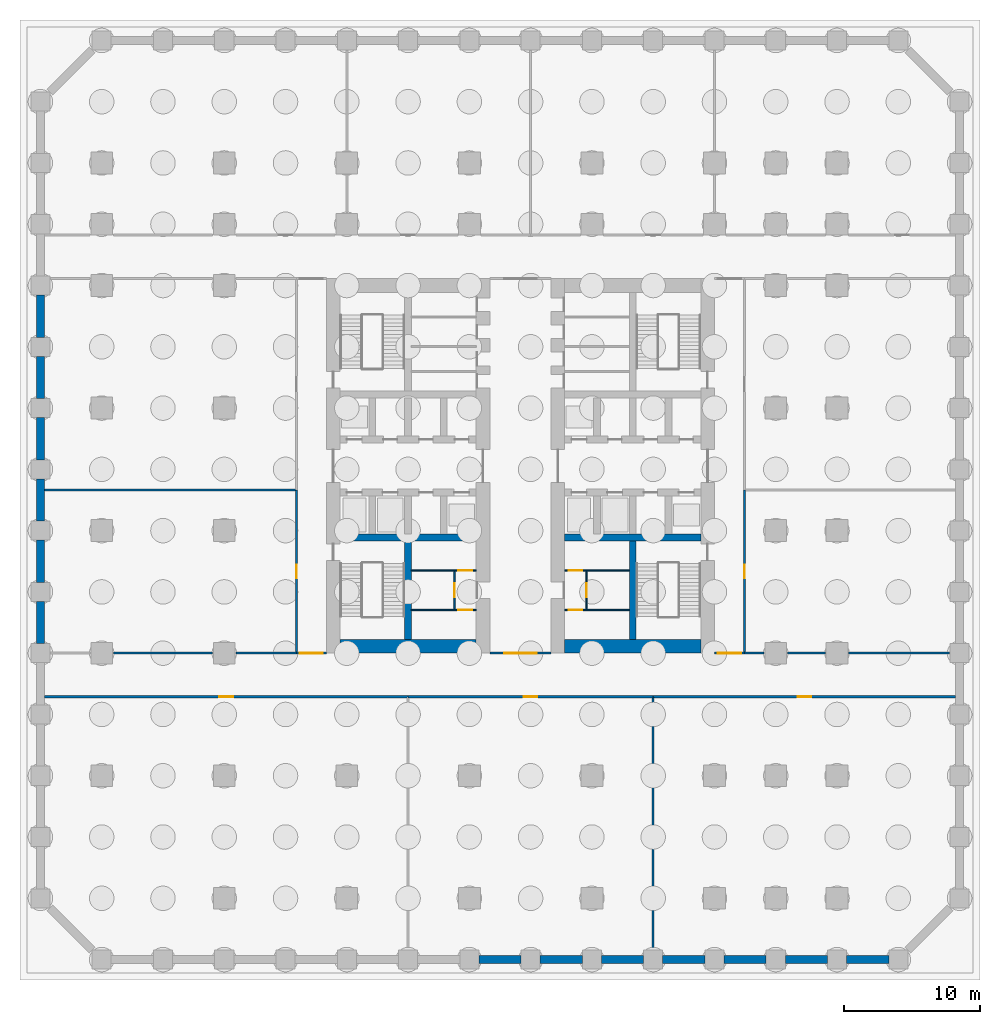
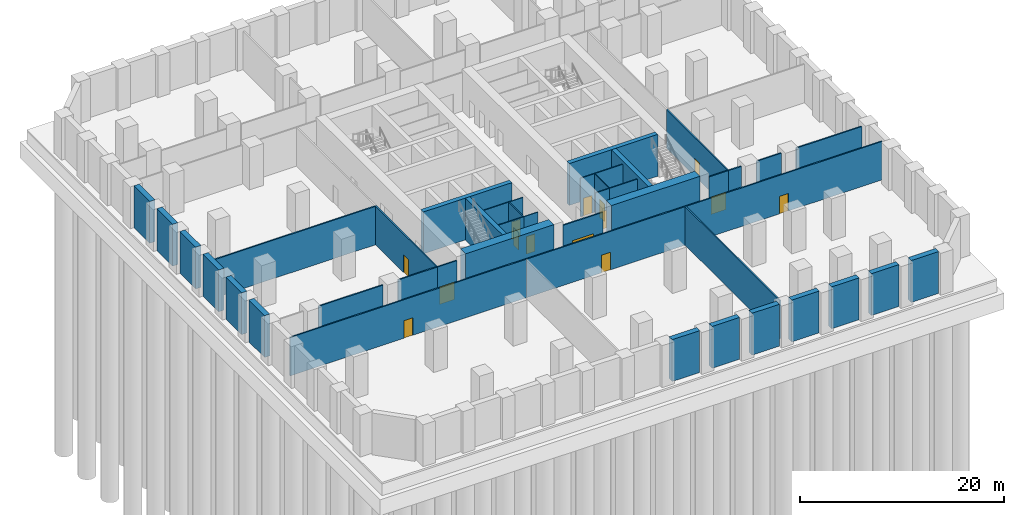
# One storey, part 3 of 9: 44 walls, 14 doors, 14 openings.
"""IFC4 building model written with IfcOpenShell, lengths in metres."""

import ifcopenshell
import ifcopenshell.guid

model = None  # the IFC model being written
_history = None  # IfcOwnerHistory: only IFC2X3 demands one
_inside = {}  # id of a spatial element -> (the spatial element, [elements in it])
_under = {}  # id of a project, library or spatial element -> (it, [spatial elements below it])
_declared = {}  # id of a project -> (the project, [libraries it declares])
_typed = {}  # id of a type object -> (the type object, [elements of that type])
_made_of = {}  # id of a material, layer set ... -> (it, [elements and type objects made of it])


def new_model(schema):
    """Start an empty IFC model of exactly this schema.

    Asked for "IFC4X3", IfcOpenShell would pick the latest addendum, in which some entities
    have other attributes; the version numbers below select the first issue.
    IFC2X3 requires an IfcOwnerHistory on every rooted entity: one is made here for all.
    """
    global model, _history
    if schema == "IFC4X3":
        model = ifcopenshell.file(schema_version=(4, 3, 0, 0))
    else:
        model = ifcopenshell.file(schema=schema)
    _inside.clear()
    _under.clear()
    _declared.clear()
    _typed.clear()
    _made_of.clear()
    _history = None
    if model.schema == "IFC2X3":
        org = make("IfcOrganization", Name="unknown")
        user = make(
            "IfcPersonAndOrganization",
            ThePerson=make("IfcPerson", FamilyName="unknown"),
            TheOrganization=org,
        )
        app = make(
            "IfcApplication",
            ApplicationDeveloper=org,
            Version="unknown",
            ApplicationFullName="unknown",
            ApplicationIdentifier="unknown",
        )
        _history = make(
            "IfcOwnerHistory",
            OwningUser=user,
            OwningApplication=app,
            ChangeAction="ADDED",
            CreationDate=0,
        )
    return model


def make(cls, **values):
    """One entity of the class cls with the attributes given. An attribute that is None is left unset."""
    return model.create_entity(
        cls, **{name: value for name, value in values.items() if value is not None}
    )


def rooted(cls, **values):
    """An entity with a GlobalId (a new one), such as an element, a storey or a relation."""
    return make(cls, GlobalId=ifcopenshell.guid.new(), OwnerHistory=_history, **values)


def si_unit(unit_type, name, prefix=None):
    """IfcSIUnit, for example si_unit("LENGTHUNIT", "METRE", prefix="MILLI")."""
    return make("IfcSIUnit", UnitType=unit_type, Prefix=prefix, Name=name)


def assignment(units):
    """IfcUnitAssignment: the units of a project."""
    return None if units is None else make("IfcUnitAssignment", Units=units)


def point(xyz):
    """IfcCartesianPoint."""
    return None if xyz is None else make("IfcCartesianPoint", Coordinates=xyz)


def direction(xyz):
    """IfcDirection."""
    return None if xyz is None else make("IfcDirection", DirectionRatios=xyz)


def frame(location, z_axis=None, x_axis=None):
    """IfcAxis2Placement3D, a coordinate frame: its origin and axes. An axis left out is left unset."""
    return make(
        "IfcAxis2Placement3D",
        Location=point(location),
        Axis=direction(z_axis),
        RefDirection=direction(x_axis),
    )


def frame_2d(location, x_axis=None):
    """IfcAxis2Placement2D, a coordinate frame in the plane: its origin and x axis."""
    return make(
        "IfcAxis2Placement2D", Location=point(location), RefDirection=direction(x_axis)
    )


def origin():
    """The frame at (0, 0, 0) with its axes left unset."""
    return frame((0.0, 0.0, 0.0))


def place(relative_to, where):
    """IfcLocalPlacement: puts the frame where relative to a parent placement (None: the world)."""
    return make(
        "IfcLocalPlacement", PlacementRelTo=relative_to, RelativePlacement=where
    )


def context(
    kind, dimensions, precision=None, world=None, true_north=None, identifier=None
):
    """IfcGeometricRepresentationContext, for example the 3D "Model" context."""
    return make(
        "IfcGeometricRepresentationContext",
        ContextIdentifier=identifier,
        ContextType=kind,
        CoordinateSpaceDimension=dimensions,
        Precision=precision,
        WorldCoordinateSystem=world,
        TrueNorth=true_north,
    )


def subcontext(parent, identifier, kind, view, scale=None):
    """IfcGeometricRepresentationSubContext, for example "Body" below "Model"."""
    return make(
        "IfcGeometricRepresentationSubContext",
        ContextIdentifier=identifier,
        ContextType=kind,
        ParentContext=parent,
        TargetScale=scale,
        TargetView=view,
    )


def project(units=None, contexts=None):
    """IfcProject with its units and contexts."""
    return rooted(
        "IfcProject",
        Name="project",
        RepresentationContexts=contexts,
        UnitsInContext=assignment(units),
    )


def spatial(cls, under=None, at=None, **own):
    """A site, building, storey or space (cls), placed at a placement, below another one or the project."""
    s = rooted(cls, ObjectPlacement=at, **own)
    if under is not None:
        _under.setdefault(under.id(), (under, []))[1].append(s)
    return s


def profile(cls, at=None, kind="AREA", **sizes):
    """A parametric profile (cls). Its sizes go by their IFC names, for example OverallWidth=200.0."""
    return make(cls, ProfileType=kind, Position=at, **sizes)


def rectangle(**sizes):
    """IfcRectangleProfileDef."""
    return profile("IfcRectangleProfileDef", **sizes)


def extrude(swept, where, along, depth):
    """IfcExtrudedAreaSolid: the profile swept, set in the frame where, extruded along a direction by depth."""
    return make(
        "IfcExtrudedAreaSolid",
        SweptArea=swept,
        Position=where,
        ExtrudedDirection=direction(along),
        Depth=depth,
    )


def shape(context_of_items, identifier, shape_type, items):
    """IfcShapeRepresentation: the items that make up one representation, for example the "Body"."""
    return make(
        "IfcShapeRepresentation",
        ContextOfItems=context_of_items,
        RepresentationIdentifier=identifier,
        RepresentationType=shape_type,
        Items=items,
    )


def material(Name=None, Category=None):
    """IfcMaterial."""
    return make("IfcMaterial", Name=Name, Category=Category)


def layer(
    of_material, thickness, ventilated=None, Name=None, Category=None, Priority=None
):
    """IfcMaterialLayer: one layer of a wall or slab, of a material (None: an air gap)."""
    return make(
        "IfcMaterialLayer",
        Material=of_material,
        LayerThickness=thickness,
        IsVentilated=ventilated,
        Name=Name,
        Category=Category,
        Priority=Priority,
    )


def layer_set(layers, Name=None):
    """IfcMaterialLayerSet."""
    return make("IfcMaterialLayerSet", MaterialLayers=layers, LayerSetName=Name)


def made_of(thing, what):
    """Note that an element or type object is made of a material, layer set ...; save() writes the relation."""
    if what is not None:
        _made_of.setdefault(what.id(), (what, []))[1].append(thing)
    return thing


def type_object(cls, material=None, **own):
    """A type object (cls), such as IfcWallType, which elements share."""
    return made_of(rooted(cls, **own), material)


def element(
    cls,
    number,
    at=None,
    inside=None,
    cuts=None,
    type_object=None,
    material=None,
    context=None,
    identifier="Body",
    shape_type=None,
    held_by="IfcProductDefinitionShape",
    body=None,
    shapes=None,
    **own,
):
    """One element of the class cls, such as IfcWall. Its Tag is "e" and its number.

    at: its placement. inside: the storey or other place that contains it. cuts: it is an
    opening in that element (IfcRelVoidsElement). A single representation is given by context,
    identifier, shape_type and body (its items); several are given by shapes. held_by: the class
    of the entity that holds the representations. save() writes the other relations.
    """
    e = rooted(cls, Tag="e%d" % number, ObjectPlacement=at, **own)
    if body is not None:
        shapes = [shape(context, identifier, shape_type, body)]
    if shapes is not None:
        e.Representation = make(held_by, Representations=shapes)
    if inside is not None:
        _inside.setdefault(inside.id(), (inside, []))[1].append(e)
    if cuts is not None:
        rooted(
            "IfcRelVoidsElement", RelatingBuildingElement=cuts, RelatedOpeningElement=e
        )
    if type_object is not None:
        _typed.setdefault(type_object.id(), (type_object, []))[1].append(e)
    return made_of(e, material)


def fill(opening, filler):
    """IfcRelFillsElement: the door or window that sits in an opening."""
    return rooted(
        "IfcRelFillsElement",
        RelatingOpeningElement=opening,
        RelatedBuildingElement=filler,
    )


def aggregate(whole, parts):
    """IfcRelAggregates: a whole, such as a stair, and the parts it consists of."""
    return rooted("IfcRelAggregates", RelatingObject=whole, RelatedObjects=parts)


def save(model, path):
    """Write the relations noted so far, then the file.

    IfcRelAggregates (storeys below a building ...), IfcRelContainedInSpatialStructure (elements
    in a storey), IfcRelDefinesByType, IfcRelAssociatesMaterial and IfcRelDeclares: one each for
    every whole, place, type object, material and project.
    """
    for whole, parts in _under.values():
        aggregate(whole, parts)
    for where, things in _inside.values():
        rooted(
            "IfcRelContainedInSpatialStructure",
            RelatedElements=things,
            RelatingStructure=where,
        )
    for kind, things in _typed.values():
        rooted("IfcRelDefinesByType", RelatedObjects=things, RelatingType=kind)
    for what, things in _made_of.values():
        rooted("IfcRelAssociatesMaterial", RelatedObjects=things, RelatingMaterial=what)
    for by, libraries in _declared.values():
        rooted("IfcRelDeclares", RelatingContext=by, RelatedDefinitions=libraries)
    model.write(path)


model = new_model("IFC4")

# Units and contexts
model_context = context("Model", 3, precision=1e-05, world=origin(), true_north=direction((0.0, 1.0)))
body_context = subcontext(model_context, "Body", "Model", "MODEL_VIEW")
ifc_project = project(units=[si_unit("LENGTHUNIT", "METRE"), si_unit("AREAUNIT", "SQUARE_METRE"), si_unit("VOLUMEUNIT", "CUBIC_METRE"), si_unit("PLANEANGLEUNIT", "RADIAN"), si_unit("MASSUNIT", "GRAM", prefix="KILO")], contexts=[model_context])

# Site, building, storey
site_placement = place(None, origin())
site = spatial("IfcSite", under=ifc_project, at=site_placement, CompositionType="ELEMENT")
building_placement = place(site_placement, origin())
building = spatial("IfcBuilding", under=site, at=building_placement, Name="Corbel Stack Research Tower", CompositionType="ELEMENT")
storey_placement = place(building_placement, frame((0.0, 0.0, -10.0)))
storey = spatial("IfcBuildingStorey", under=building, at=storey_placement, Name="B2", CompositionType="ELEMENT", Elevation=-10.0)

# Walls
ifc_material_1 = material(Name="Concrete C45/55", Category="concrete")
ifc_layer_1 = layer(ifc_material_1, 0.60009765625)
ifc_layer_set_1 = layer_set([ifc_layer_1], Name="Concrete C45/55")
wall_type_1 = type_object("IfcWallType", Name="BW-600", PredefinedType="SOLIDWALL", material=ifc_layer_set_1)
for number, where, z_axis, x_axis, name in (
    (1, (0.699951171875, -31.5, 0.0), (0.0, 0.0, 1.0), (1.0, 0.0, 0.0), "Basement wall B2"),
    (2, (5.199951171875, -31.5, 0.0), (0.0, 0.0, 1.0), (1.0, 0.0, 0.0), "Basement wall B2"),
    (3, (9.699951171875, -31.5, 0.0), (0.0, 0.0, 1.0), (1.0, 0.0, 0.0), "Basement wall B2"),
    (4, (14.199951171875, -31.5, 0.0), (0.0, 0.0, 1.0), (1.0, 0.0, 0.0), "Basement wall B2"),
    (5, (18.699951171875, -31.5, 0.0), (0.0, 0.0, 1.0), (1.0, 0.0, 0.0), "Basement wall B2"),
    (6, (23.199951171875, -31.5, 0.0), (0.0, 0.0, 1.0), (1.0, 0.0, 0.0), "Basement wall B2"),
    (7, (27.699951171875, -31.5, 0.0), (0.0, 0.0, 1.0), (1.0, 0.0, 0.0), "Basement wall B2"),
    (8, (-31.5, 17.300048828125, 0.0), (0.0, 0.0, 1.0), (0.0, -1.0, 0.0), "Basement wall B2"),
    (9, (-31.5, 12.800048828125, 0.0), (0.0, 0.0, 1.0), (0.0, -1.0, 0.0), "Basement wall B2"),
    (10, (-31.5, 8.300048828125, 0.0), (0.0, 0.0, 1.0), (0.0, -1.0, 0.0), "Basement wall B2"),
    (11, (-31.5, 3.800048828125, 0.0), (0.0, 0.0, 1.0), (0.0, -1.0, 0.0), "Basement wall B2"),
    (12, (-31.5, -0.699951171875, 0.0), (0.0, 0.0, 1.0), (0.0, -1.0, 0.0), "Basement wall B2"),
    (13, (-31.5, -5.199951171875, 0.0), (0.0, 0.0, 1.0), (0.0, -1.0, 0.0), "Basement wall B2"),
):
    element("IfcWall", number, at=place(storey_placement, frame(where, z_axis=z_axis, x_axis=x_axis)), inside=storey, type_object=wall_type_1, Name=name, PredefinedType="SOLIDWALL", context=body_context, shape_type="SweptSolid", body=[
        extrude(rectangle(XDim=3.10009765625, YDim=0.60009765625, at=frame_2d((1.550048828125, 0.0))), origin(), (0.0, 0.0, 1.0), 5.0),
    ])

# Wall, opening, door
ifc_material_2 = material(Name="Concrete block", Category="concrete")
ifc_layer_2 = layer(ifc_material_2, 0.14990234375)
ifc_layer_set_2 = layer_set([ifc_layer_2], Name="Concrete block")
wall_type_2 = type_object("IfcWallType", Name="Base partition 150 B2", PredefinedType="PARTITIONING", material=ifc_layer_set_2)
wall_1_placement = place(storey_placement, frame((-12.699951171875, -9.0, 0.0), z_axis=(0.0, 0.0, 1.0), x_axis=(1.0, 0.0, 0.0)))
wall_1 = element("IfcWall", 14, at=wall_1_placement, inside=storey, type_object=wall_type_2, Name="Partition B2", PredefinedType="PARTITIONING", context=body_context, shape_type="SweptSolid", body=[
    extrude(rectangle(XDim=2.199951171875, YDim=0.14990234375, at=frame_2d((1.10009765625, 0.0))), origin(), (0.0, 0.0, 1.0), 4.60009765625),
])
opening_1_placement = place(wall_1_placement, frame((0.25, 0.0, 0.0)))
opening_1 = element("IfcOpeningElement", 15, at=opening_1_placement, cuts=wall_1, Name="Opening BD-B2-12", PredefinedType="OPENING", context=body_context, shape_type="SweptSolid", body=[
    extrude(rectangle(XDim=1.699951171875, YDim=2.10009765625, at=frame_2d((0.85009765625, 1.050048828125))), frame((0.0, 0.0849609375, 0.0), z_axis=(0.0, -1.0, 0.0), x_axis=(1.0, 0.0, 0.0)), (0.0, 0.0, 1.0), 0.169921875),
])
ifc_material_3 = material(Name="Painted steel fire door", Category="steel")
door_type_1 = type_object("IfcDoorType", Name="Lobby door pair 1700 x 2100 FD30S", OperationType="DOUBLE_DOOR_DOUBLE_SWING", PredefinedType="DOOR", material=ifc_material_3)
door_1_placement = place(opening_1_placement, origin())
door_1 = element("IfcDoor", 16, at=door_1_placement, inside=storey, type_object=door_type_1, Name="Stair vestibule west to Plant corridor south opening", OperationType="DOUBLE_DOOR_DOUBLE_SWING", OverallHeight=2.10009765625, OverallWidth=1.699951171875, PredefinedType="DOOR", context=body_context, shape_type="SweptSolid", body=[
    extrude(rectangle(XDim=1.699951171875, YDim=2.10009765625, at=frame_2d((0.85009765625, 1.050048828125))), frame((0.0, 0.02490234375, 0.0), z_axis=(0.0, -1.0, 0.0), x_axis=(1.0, 0.0, 0.0)), (0.0, 0.0, 1.0), 0.050048828125),
])
fill(opening_1, door_1)

wall_2_placement = place(storey_placement, frame((-12.699951171875, -9.0, 0.0), z_axis=(0.0, 0.0, 1.0), x_axis=(0.0, 1.0, 0.0)))
wall_2 = element("IfcWall", 17, at=wall_2_placement, inside=storey, type_object=wall_type_2, Name="Partition B2", PredefinedType="PARTITIONING", context=body_context, shape_type="SweptSolid", body=[
    extrude(rectangle(XDim=12.0, YDim=0.14990234375, at=frame_2d((6.0, 0.0))), origin(), (0.0, 0.0, 1.0), 4.60009765625),
])
opening_2_placement = place(wall_2_placement, frame((5.5, 0.0, 0.0)))
opening_2 = element("IfcOpeningElement", 18, at=opening_2_placement, cuts=wall_2, Name="Opening BD-B2-04", PredefinedType="OPENING", context=body_context, shape_type="SweptSolid", body=[
    extrude(rectangle(XDim=1.0, YDim=2.10009765625, at=frame_2d((0.5, 1.050048828125))), frame((0.0, 0.0849609375, 0.0), z_axis=(0.0, -1.0, 0.0), x_axis=(1.0, 0.0, 0.0)), (0.0, 0.0, 1.0), 0.169921875),
])
ifc_material_4 = material(Name="Painted steel door", Category="steel")
door_type_2 = type_object("IfcDoorType", Name="Service door 1000 x 2100 FD60 right hand", OperationType="SINGLE_SWING_RIGHT", PredefinedType="DOOR", material=ifc_material_4)
door_2_placement = place(opening_2_placement, origin())
door_2 = element("IfcDoor", 19, at=door_2_placement, inside=storey, type_object=door_type_2, Name="Workshop door", OperationType="SINGLE_SWING_RIGHT", OverallHeight=2.10009765625, OverallWidth=1.0, PredefinedType="DOOR", context=body_context, shape_type="SweptSolid", body=[
    extrude(rectangle(XDim=1.0, YDim=2.10009765625, at=frame_2d((0.5, 1.050048828125))), frame((0.0, 0.02490234375, 0.0), z_axis=(0.0, -1.0, 0.0), x_axis=(1.0, 0.0, 0.0)), (0.0, 0.0, 1.0), 0.050048828125),
])
fill(opening_2, door_2)

wall_3_placement = place(storey_placement, frame((18.0, -9.0, 0.0), z_axis=(0.0, 0.0, 1.0), x_axis=(1.0, 0.0, 0.0)))
wall_3 = element("IfcWall", 20, at=wall_3_placement, inside=storey, type_object=wall_type_2, Name="Partition B2", PredefinedType="PARTITIONING", context=body_context, shape_type="SweptSolid", body=[
    extrude(rectangle(XDim=2.199951171875, YDim=0.14990234375, at=frame_2d((1.10009765625, 0.0))), origin(), (0.0, 0.0, 1.0), 4.60009765625),
])
opening_3_placement = place(wall_3_placement, frame((0.25, 0.0, 0.0)))
opening_3 = element("IfcOpeningElement", 21, at=opening_3_placement, cuts=wall_3, Name="Opening BD-B2-14", PredefinedType="OPENING", context=body_context, shape_type="SweptSolid", body=[
    extrude(rectangle(XDim=1.699951171875, YDim=2.10009765625, at=frame_2d((0.85009765625, 1.050048828125))), frame((0.0, 0.0849609375, 0.0), z_axis=(0.0, -1.0, 0.0), x_axis=(1.0, 0.0, 0.0)), (0.0, 0.0, 1.0), 0.169921875),
])
door_3_placement = place(opening_3_placement, origin())
door_3 = element("IfcDoor", 22, at=door_3_placement, inside=storey, type_object=door_type_1, Name="Stair vestibule east to Plant corridor south opening", OperationType="DOUBLE_DOOR_DOUBLE_SWING", OverallHeight=2.10009765625, OverallWidth=1.699951171875, PredefinedType="DOOR", context=body_context, shape_type="SweptSolid", body=[
    extrude(rectangle(XDim=1.699951171875, YDim=2.10009765625, at=frame_2d((0.85009765625, 1.050048828125))), frame((0.0, 0.02490234375, 0.0), z_axis=(0.0, -1.0, 0.0), x_axis=(1.0, 0.0, 0.0)), (0.0, 0.0, 1.0), 0.050048828125),
])
fill(opening_3, door_3)

wall_4_placement = place(storey_placement, frame((20.199951171875, -9.0, 0.0), z_axis=(0.0, 0.0, 1.0), x_axis=(0.0, 1.0, 0.0)))
wall_4 = element("IfcWall", 23, at=wall_4_placement, inside=storey, type_object=wall_type_2, Name="Partition B2", PredefinedType="PARTITIONING", context=body_context, shape_type="SweptSolid", body=[
    extrude(rectangle(XDim=12.0, YDim=0.14990234375, at=frame_2d((6.0, 0.0))), origin(), (0.0, 0.0, 1.0), 4.60009765625),
])
opening_4_placement = place(wall_4_placement, frame((5.5, 0.0, 0.0)))
opening_4 = element("IfcOpeningElement", 24, at=opening_4_placement, cuts=wall_4, Name="Opening BD-B2-06", PredefinedType="OPENING", context=body_context, shape_type="SweptSolid", body=[
    extrude(rectangle(XDim=1.0, YDim=2.10009765625, at=frame_2d((0.5, 1.050048828125))), frame((0.0, 0.0849609375, 0.0), z_axis=(0.0, -1.0, 0.0), x_axis=(1.0, 0.0, 0.0)), (0.0, 0.0, 1.0), 0.169921875),
])
ifc_material_5 = material(Name="Painted steel door", Category="steel")
door_type_3 = type_object("IfcDoorType", Name="Riser door 1000 x 2100 FD60 right hand", OperationType="SINGLE_SWING_RIGHT", PredefinedType="DOOR", material=ifc_material_5)
door_4_placement = place(opening_4_placement, origin())
door_4 = element("IfcDoor", 25, at=door_4_placement, inside=storey, type_object=door_type_3, Name="Electrical switchgear room door", OperationType="SINGLE_SWING_RIGHT", OverallHeight=2.10009765625, OverallWidth=1.0, PredefinedType="DOOR", context=body_context, shape_type="SweptSolid", body=[
    extrude(rectangle(XDim=1.0, YDim=2.10009765625, at=frame_2d((0.5, 1.050048828125))), frame((0.0, 0.02490234375, 0.0), z_axis=(0.0, -1.0, 0.0), x_axis=(1.0, 0.0, 0.0)), (0.0, 0.0, 1.0), 0.050048828125),
])
fill(opening_4, door_4)

wall_5_placement = place(storey_placement, frame((1.5, -9.0, 0.0), z_axis=(0.0, 0.0, 1.0), x_axis=(1.0, 0.0, 0.0)))
wall_5 = element("IfcWall", 26, at=wall_5_placement, inside=storey, type_object=wall_type_2, Name="Partition B2", PredefinedType="PARTITIONING", context=body_context, shape_type="SweptSolid", body=[
    extrude(rectangle(XDim=4.5, YDim=0.14990234375, at=frame_2d((2.25, 0.0))), origin(), (0.0, 0.0, 1.0), 4.60009765625),
])
opening_5_placement = place(wall_5_placement, frame((1.050048828125, 0.0, 0.0)))
opening_5 = element("IfcOpeningElement", 27, at=opening_5_placement, cuts=wall_5, Name="Opening BD-B2-16", PredefinedType="OPENING", context=body_context, shape_type="SweptSolid", body=[
    extrude(rectangle(XDim=2.39990234375, YDim=2.39990234375, at=frame_2d((1.199951171875, 1.199951171875))), frame((0.0, 0.0849609375, 0.0), z_axis=(0.0, -1.0, 0.0), x_axis=(1.0, 0.0, 0.0)), (0.0, 0.0, 1.0), 0.169921875),
])
ifc_material_6 = material(Name="Painted steel fire door", Category="steel")
door_type_4 = type_object("IfcDoorType", Name="Lobby door pair 2400 x 2400 FD30S", OperationType="DOUBLE_DOOR_DOUBLE_SWING", PredefinedType="DOOR", material=ifc_material_6)
door_5_placement = place(opening_5_placement, origin())
door_5 = element("IfcDoor", 28, at=door_5_placement, inside=storey, type_object=door_type_4, Name="Central circulation to Plant corridor south opening", OperationType="DOUBLE_DOOR_DOUBLE_SWING", OverallHeight=2.39990234375, OverallWidth=2.39990234375, PredefinedType="DOOR", context=body_context, shape_type="SweptSolid", body=[
    extrude(rectangle(XDim=2.39990234375, YDim=2.39990234375, at=frame_2d((1.199951171875, 1.199951171875))), frame((0.0, 0.02490234375, 0.0), z_axis=(0.0, -1.0, 0.0), x_axis=(1.0, 0.0, 0.0)), (0.0, 0.0, 1.0), 0.050048828125),
])
fill(opening_5, door_5)

wall_6_placement = place(storey_placement, frame((-31.199951171875, -12.199951171875, 0.0), z_axis=(0.0, 0.0, 1.0), x_axis=(1.0, 0.0, 0.0)))
wall_6 = element("IfcWall", 29, at=wall_6_placement, inside=storey, type_object=wall_type_2, Name="Partition B2", PredefinedType="PARTITIONING", context=body_context, shape_type="SweptSolid", body=[
    extrude(rectangle(XDim=26.699951171875, YDim=0.14990234375, at=frame_2d((13.35009765625, 0.0))), origin(), (0.0, 0.0, 1.0), 4.60009765625),
])
opening_6_placement = place(wall_6_placement, frame((12.85009765625, 0.0, 0.0)))
opening_6 = element("IfcOpeningElement", 30, at=opening_6_placement, cuts=wall_6, Name="Opening BD-B2-01", PredefinedType="OPENING", context=body_context, shape_type="SweptSolid", body=[
    extrude(rectangle(XDim=1.0, YDim=2.10009765625, at=frame_2d((0.5, 1.050048828125))), frame((0.0, 0.0849609375, 0.0), z_axis=(0.0, -1.0, 0.0), x_axis=(1.0, 0.0, 0.0)), (0.0, 0.0, 1.0), 0.169921875),
])
ifc_material_7 = material(Name="Painted steel door", Category="steel")
door_type_5 = type_object("IfcDoorType", Name="Riser door 1000 x 2100 FD60 left hand", OperationType="SINGLE_SWING_LEFT", PredefinedType="DOOR", material=ifc_material_7)
door_6_placement = place(opening_6_placement, origin())
door_6 = element("IfcDoor", 31, at=door_6_placement, inside=storey, type_object=door_type_5, Name="Fire water tank and pump room door", OperationType="SINGLE_SWING_LEFT", OverallHeight=2.10009765625, OverallWidth=1.0, PredefinedType="DOOR", context=body_context, shape_type="SweptSolid", body=[
    extrude(rectangle(XDim=1.0, YDim=2.10009765625, at=frame_2d((0.5, 1.050048828125))), frame((0.0, 0.02490234375, 0.0), z_axis=(0.0, -1.0, 0.0), x_axis=(1.0, 0.0, 0.0)), (0.0, 0.0, 1.0), 0.050048828125),
])
fill(opening_6, door_6)

wall_7_placement = place(storey_placement, frame((-4.5, -12.199951171875, 0.0), z_axis=(0.0, 0.0, 1.0), x_axis=(1.0, 0.0, 0.0)))
wall_7 = element("IfcWall", 32, at=wall_7_placement, inside=storey, type_object=wall_type_2, Name="Partition B2", PredefinedType="PARTITIONING", context=body_context, shape_type="SweptSolid", body=[
    extrude(rectangle(XDim=18.0, YDim=0.14990234375, at=frame_2d((9.0, 0.0))), origin(), (0.0, 0.0, 1.0), 4.60009765625),
])
opening_7_placement = place(wall_7_placement, frame((8.5, 0.0, 0.0)))
opening_7 = element("IfcOpeningElement", 33, at=opening_7_placement, cuts=wall_7, Name="Opening BD-B2-02", PredefinedType="OPENING", context=body_context, shape_type="SweptSolid", body=[
    extrude(rectangle(XDim=1.0, YDim=2.10009765625, at=frame_2d((0.5, 1.050048828125))), frame((0.0, 0.0849609375, 0.0), z_axis=(0.0, -1.0, 0.0), x_axis=(1.0, 0.0, 0.0)), (0.0, 0.0, 1.0), 0.169921875),
])
door_7_placement = place(opening_7_placement, origin())
door_7 = element("IfcDoor", 34, at=door_7_placement, inside=storey, type_object=door_type_3, Name="Rainwater harvesting plant door", OperationType="SINGLE_SWING_RIGHT", OverallHeight=2.10009765625, OverallWidth=1.0, PredefinedType="DOOR", context=body_context, shape_type="SweptSolid", body=[
    extrude(rectangle(XDim=1.0, YDim=2.10009765625, at=frame_2d((0.5, 1.050048828125))), frame((0.0, 0.02490234375, 0.0), z_axis=(0.0, -1.0, 0.0), x_axis=(1.0, 0.0, 0.0)), (0.0, 0.0, 1.0), 0.050048828125),
])
fill(opening_7, door_7)

wall_8_placement = place(storey_placement, frame((13.5, -12.199951171875, 0.0), z_axis=(0.0, 0.0, 1.0), x_axis=(1.0, 0.0, 0.0)))
wall_8 = element("IfcWall", 35, at=wall_8_placement, inside=storey, type_object=wall_type_2, Name="Partition B2", PredefinedType="PARTITIONING", context=body_context, shape_type="SweptSolid", body=[
    extrude(rectangle(XDim=22.199951171875, YDim=0.14990234375, at=frame_2d((11.10009765625, 0.0))), origin(), (0.0, 0.0, 1.0), 4.60009765625),
])
opening_8_placement = place(wall_8_placement, frame((10.60009765625, 0.0, 0.0)))
opening_8 = element("IfcOpeningElement", 36, at=opening_8_placement, cuts=wall_8, Name="Opening BD-B2-03", PredefinedType="OPENING", context=body_context, shape_type="SweptSolid", body=[
    extrude(rectangle(XDim=1.0, YDim=2.10009765625, at=frame_2d((0.5, 1.050048828125))), frame((0.0, 0.0849609375, 0.0), z_axis=(0.0, -1.0, 0.0), x_axis=(1.0, 0.0, 0.0)), (0.0, 0.0, 1.0), 0.169921875),
])
door_8_placement = place(opening_8_placement, origin())
door_8 = element("IfcDoor", 37, at=door_8_placement, inside=storey, type_object=door_type_5, Name="Laboratory waste neutralisation plant door", OperationType="SINGLE_SWING_LEFT", OverallHeight=2.10009765625, OverallWidth=1.0, PredefinedType="DOOR", context=body_context, shape_type="SweptSolid", body=[
    extrude(rectangle(XDim=1.0, YDim=2.10009765625, at=frame_2d((0.5, 1.050048828125))), frame((0.0, 0.02490234375, 0.0), z_axis=(0.0, -1.0, 0.0), x_axis=(1.0, 0.0, 0.0)), (0.0, 0.0, 1.0), 0.050048828125),
])
fill(opening_8, door_8)

# Walls
wall_9_placement = place(storey_placement, frame((-17.14990234375, -9.0, 0.0), z_axis=(0.0, 0.0, 1.0), x_axis=(1.0, 0.0, 0.0)))
element("IfcWall", 38, at=wall_9_placement, inside=storey, type_object=wall_type_2, Name="Partition B2", PredefinedType="PARTITIONING", context=body_context, shape_type="SweptSolid", body=[
    extrude(rectangle(XDim=4.449951171875, YDim=0.14990234375, at=frame_2d((2.22509765625, 0.0))), origin(), (0.0, 0.0, 1.0), 4.60009765625),
])
wall_10_placement = place(storey_placement, frame((-26.14990234375, -9.0, 0.0), z_axis=(0.0, 0.0, 1.0), x_axis=(1.0, 0.0, 0.0)))
element("IfcWall", 39, at=wall_10_placement, inside=storey, type_object=wall_type_2, Name="Partition B2", PredefinedType="PARTITIONING", context=body_context, shape_type="SweptSolid", body=[
    extrude(rectangle(XDim=7.2998046875, YDim=0.14990234375, at=frame_2d((3.64990234375, 0.0))), origin(), (0.0, 0.0, 1.0), 4.60009765625),
])
wall_11_placement = place(storey_placement, frame((27.85009765625, -9.0, 0.0), z_axis=(0.0, 0.0, 1.0), x_axis=(1.0, 0.0, 0.0)))
element("IfcWall", 40, at=wall_11_placement, inside=storey, type_object=wall_type_2, Name="Partition B2", PredefinedType="PARTITIONING", context=body_context, shape_type="SweptSolid", body=[
    extrude(rectangle(XDim=7.39990234375, YDim=0.14990234375, at=frame_2d((3.699951171875, 0.0))), origin(), (0.0, 0.0, 1.0), 4.60009765625),
])
wall_12_placement = place(storey_placement, frame((23.35009765625, -9.0, 0.0), z_axis=(0.0, 0.0, 1.0), x_axis=(1.0, 0.0, 0.0)))
element("IfcWall", 41, at=wall_12_placement, inside=storey, type_object=wall_type_2, Name="Partition B2", PredefinedType="PARTITIONING", context=body_context, shape_type="SweptSolid", body=[
    extrude(rectangle(XDim=2.7998046875, YDim=0.14990234375, at=frame_2d((1.39990234375, 0.0))), origin(), (0.0, 0.0, 1.0), 4.60009765625),
])
wall_13_placement = place(storey_placement, frame((20.199951171875, -9.0, 0.0), z_axis=(0.0, 0.0, 1.0), x_axis=(1.0, 0.0, 0.0)))
element("IfcWall", 42, at=wall_13_placement, inside=storey, type_object=wall_type_2, Name="Partition B2", PredefinedType="PARTITIONING", context=body_context, shape_type="SweptSolid", body=[
    extrude(rectangle(XDim=1.449951171875, YDim=0.14990234375, at=frame_2d((0.72509765625, 0.0))), origin(), (0.0, 0.0, 1.0), 4.60009765625),
])
wall_14_placement = place(storey_placement, frame((13.5, -30.75, 0.0), z_axis=(0.0, 0.0, 1.0), x_axis=(0.0, 1.0, 0.0)))
element("IfcWall", 43, at=wall_14_placement, inside=storey, type_object=wall_type_2, Name="Partition B2", PredefinedType="PARTITIONING", context=body_context, shape_type="SweptSolid", body=[
    extrude(rectangle(XDim=18.550048828125, YDim=0.14990234375, at=frame_2d((9.27490234375, 0.0))), origin(), (0.0, 0.0, 1.0), 4.60009765625),
])
wall_15_placement = place(storey_placement, frame((-31.199951171875, 3.0, 0.0), z_axis=(0.0, 0.0, 1.0), x_axis=(1.0, 0.0, 0.0)))
element("IfcWall", 44, at=wall_15_placement, inside=storey, type_object=wall_type_2, Name="Partition B2", PredefinedType="PARTITIONING", context=body_context, shape_type="SweptSolid", body=[
    extrude(rectangle(XDim=18.5, YDim=0.14990234375, at=frame_2d((9.25, 0.0))), origin(), (0.0, 0.0, 1.0), 4.60009765625),
])
ifc_material_8 = material(Name="Concrete C70/85", Category="concrete")
ifc_layer_3 = layer(ifc_material_8, 1.0)
ifc_layer_set_3 = layer_set([ifc_layer_3], Name="Concrete C70/85")
wall_type_3 = type_object("IfcWallType", Name="CW-1000-70", PredefinedType="SHEAR", material=ifc_layer_set_3)
for number, where, z_axis, x_axis, name in (
    (45, (-9.5, -8.5, 0.0), (0.0, 0.0, 1.0), (1.0, 0.0, 0.0), "West core wall, south end B2"),
    (46, (7.0, -8.5, 0.0), (0.0, 0.0, 1.0), (1.0, 0.0, 0.0), "East core wall, south end B2"),
):
    element("IfcWall", number, at=place(storey_placement, frame(where, z_axis=z_axis, x_axis=x_axis)), inside=storey, type_object=wall_type_3, Name=name, PredefinedType="SHEAR", context=body_context, shape_type="SweptSolid", body=[
        extrude(rectangle(XDim=10.0, YDim=1.0, at=frame_2d((5.0, 0.0))), origin(), (0.0, 0.0, 1.0), 5.0),
    ])
ifc_material_9 = material(Name="Concrete C70/85", Category="concrete")
ifc_layer_4 = layer(ifc_material_9, 0.5)
ifc_layer_set_4 = layer_set([ifc_layer_4], Name="Concrete C70/85")
wall_type_4 = type_object("IfcWallType", Name="CW-500-70", PredefinedType="SHEAR", material=ifc_layer_set_4)
wall_16_placement = place(storey_placement, frame((-9.5, -0.5, 0.0), z_axis=(0.0, 0.0, 1.0), x_axis=(1.0, 0.0, 0.0)))
element("IfcWall", 47, at=wall_16_placement, inside=storey, type_object=wall_type_4, Name="West core wall, south row back B2", PredefinedType="SHEAR", context=body_context, shape_type="SweptSolid", body=[
    extrude(rectangle(XDim=10.0, YDim=0.5, at=frame_2d((5.0, 0.0))), origin(), (0.0, 0.0, 1.0), 5.0),
])
wall_17_placement = place(storey_placement, frame((-4.5, -8.0, 0.0), z_axis=(0.0, 0.0, 1.0), x_axis=(0.0, 1.0, 0.0)))
element("IfcWall", 48, at=wall_17_placement, inside=storey, type_object=wall_type_4, Name="West core wall, south stair and WC B2", PredefinedType="SHEAR", context=body_context, shape_type="SweptSolid", body=[
    extrude(rectangle(XDim=7.25, YDim=0.5, at=frame_2d((3.625, 0.0))), origin(), (0.0, 0.0, 1.0), 5.0),
])
wall_18_placement = place(storey_placement, frame((7.0, -0.5, 0.0), z_axis=(0.0, 0.0, 1.0), x_axis=(1.0, 0.0, 0.0)))
element("IfcWall", 49, at=wall_18_placement, inside=storey, type_object=wall_type_4, Name="East core wall, south row back B2", PredefinedType="SHEAR", context=body_context, shape_type="SweptSolid", body=[
    extrude(rectangle(XDim=10.0, YDim=0.5, at=frame_2d((5.0, 0.0))), origin(), (0.0, 0.0, 1.0), 5.0),
])
wall_19_placement = place(storey_placement, frame((12.0, -8.0, 0.0), z_axis=(0.0, 0.0, 1.0), x_axis=(0.0, 1.0, 0.0)))
element("IfcWall", 50, at=wall_19_placement, inside=storey, type_object=wall_type_4, Name="East core wall, south stair and WC B2", PredefinedType="SHEAR", context=body_context, shape_type="SweptSolid", body=[
    extrude(rectangle(XDim=7.25, YDim=0.5, at=frame_2d((3.625, 0.0))), origin(), (0.0, 0.0, 1.0), 5.0),
])

# Wall, opening, door
ifc_material_10 = material(Name="Gypsum board")
ifc_layer_5 = layer(ifc_material_10, 0.10009765625)
ifc_layer_set_5 = layer_set([ifc_layer_5], Name="Gypsum board")
wall_type_5 = type_object("IfcWallType", Name="Core partition 100", PredefinedType="PARTITIONING", material=ifc_layer_set_5)
wall_20_placement = place(storey_placement, frame((-1.10009765625, -5.824951171875, 0.0), z_axis=(0.0, 0.0, 1.0), x_axis=(1.0, 0.0, 0.0)))
wall_20 = element("IfcWall", 51, at=wall_20_placement, inside=storey, type_object=wall_type_5, Name="Core partition W", PredefinedType="PARTITIONING", context=body_context, shape_type="SweptSolid", body=[
    extrude(rectangle(XDim=1.60009765625, YDim=0.10009765625, at=frame_2d((0.800048828125, 0.0))), origin(), (0.0, 0.0, 1.0), 4.60009765625),
])
opening_9_placement = place(wall_20_placement, frame((0.300048828125, 0.0, 0.0)))
opening_9 = element("IfcOpeningElement", 52, at=opening_9_placement, cuts=wall_20, Name="Opening CR-W36-W2-1000", PredefinedType="OPENING", context=body_context, shape_type="SweptSolid", body=[
    extrude(rectangle(XDim=1.0, YDim=2.10009765625, at=frame_2d((0.5, 1.050048828125))), frame((0.0, 0.06005859375, 0.0), z_axis=(0.0, -1.0, 0.0), x_axis=(1.0, 0.0, 0.0)), (0.0, 0.0, 1.0), 0.1201171875),
])
ifc_material_11 = material(Name="Painted timber door", Category="wood")
door_type_6 = type_object("IfcDoorType", Name="WC door 1000 x 2100 right hand", OperationType="SINGLE_SWING_RIGHT", PredefinedType="DOOR", material=ifc_material_11)
door_9_placement = place(opening_9_placement, origin())
door_9 = element("IfcDoor", 53, at=door_9_placement, inside=storey, type_object=door_type_6, Name="Men's WC door W core", OperationType="SINGLE_SWING_RIGHT", OverallHeight=2.10009765625, OverallWidth=1.0, PredefinedType="DOOR", context=body_context, shape_type="SweptSolid", body=[
    extrude(rectangle(XDim=1.0, YDim=2.10009765625, at=frame_2d((0.5, 1.050048828125))), frame((0.0, 0.02490234375, 0.0), z_axis=(0.0, -1.0, 0.0), x_axis=(1.0, 0.0, 0.0)), (0.0, 0.0, 1.0), 0.050048828125),
])
fill(opening_9, door_9)

wall_21_placement = place(storey_placement, frame((-1.10009765625, -2.925048828125, 0.0), z_axis=(0.0, 0.0, 1.0), x_axis=(1.0, 0.0, 0.0)))
wall_21 = element("IfcWall", 54, at=wall_21_placement, inside=storey, type_object=wall_type_5, Name="Core partition W", PredefinedType="PARTITIONING", context=body_context, shape_type="SweptSolid", body=[
    extrude(rectangle(XDim=1.60009765625, YDim=0.10009765625, at=frame_2d((0.800048828125, 0.0))), origin(), (0.0, 0.0, 1.0), 4.60009765625),
])
opening_10_placement = place(wall_21_placement, frame((0.300048828125, 0.0, 0.0)))
opening_10 = element("IfcOpeningElement", 55, at=opening_10_placement, cuts=wall_21, Name="Opening CR-W36-W3-1000", PredefinedType="OPENING", context=body_context, shape_type="SweptSolid", body=[
    extrude(rectangle(XDim=1.0, YDim=2.10009765625, at=frame_2d((0.5, 1.050048828125))), frame((0.0, 0.06005859375, 0.0), z_axis=(0.0, -1.0, 0.0), x_axis=(1.0, 0.0, 0.0)), (0.0, 0.0, 1.0), 0.1201171875),
])
ifc_material_12 = material(Name="Painted timber door", Category="wood")
door_type_7 = type_object("IfcDoorType", Name="WC door 1000 x 2100 left hand", OperationType="SINGLE_SWING_LEFT", PredefinedType="DOOR", material=ifc_material_12)
door_10_placement = place(opening_10_placement, origin())
door_10 = element("IfcDoor", 56, at=door_10_placement, inside=storey, type_object=door_type_7, Name="Women's WC door W core", OperationType="SINGLE_SWING_LEFT", OverallHeight=2.10009765625, OverallWidth=1.0, PredefinedType="DOOR", context=body_context, shape_type="SweptSolid", body=[
    extrude(rectangle(XDim=1.0, YDim=2.10009765625, at=frame_2d((0.5, 1.050048828125))), frame((0.0, 0.02490234375, 0.0), z_axis=(0.0, -1.0, 0.0), x_axis=(1.0, 0.0, 0.0)), (0.0, 0.0, 1.0), 0.050048828125),
])
fill(opening_10, door_10)

wall_22_placement = place(storey_placement, frame((-1.10009765625, -5.824951171875, 0.0), z_axis=(0.0, 0.0, 1.0), x_axis=(0.0, 1.0, 0.0)))
wall_22 = element("IfcWall", 57, at=wall_22_placement, inside=storey, type_object=wall_type_5, Name="Core partition W", PredefinedType="PARTITIONING", context=body_context, shape_type="SweptSolid", body=[
    extrude(rectangle(XDim=2.89990234375, YDim=0.10009765625, at=frame_2d((1.449951171875, 0.0))), origin(), (0.0, 0.0, 1.0), 4.60009765625),
])
opening_11_placement = place(wall_22_placement, frame((0.949951171875, 0.0, 0.0)))
opening_11 = element("IfcOpeningElement", 58, at=opening_11_placement, cuts=wall_22, Name="Opening CR-W36-W4-1000", PredefinedType="OPENING", context=body_context, shape_type="SweptSolid", body=[
    extrude(rectangle(XDim=1.0, YDim=2.10009765625, at=frame_2d((0.5, 1.050048828125))), frame((0.0, 0.06005859375, 0.0), z_axis=(0.0, -1.0, 0.0), x_axis=(1.0, 0.0, 0.0)), (0.0, 0.0, 1.0), 0.1201171875),
])
door_11_placement = place(opening_11_placement, origin())
door_11 = element("IfcDoor", 59, at=door_11_placement, inside=storey, type_object=door_type_6, Name="Accessible WC door W core", OperationType="SINGLE_SWING_RIGHT", OverallHeight=2.10009765625, OverallWidth=1.0, PredefinedType="DOOR", context=body_context, shape_type="SweptSolid", body=[
    extrude(rectangle(XDim=1.0, YDim=2.10009765625, at=frame_2d((0.5, 1.050048828125))), frame((0.0, 0.02490234375, 0.0), z_axis=(0.0, -1.0, 0.0), x_axis=(1.0, 0.0, 0.0)), (0.0, 0.0, 1.0), 0.050048828125),
])
fill(opening_11, door_11)

# Walls
for number, where, z_axis, x_axis, name in (
    (60, (-4.25, -5.824951171875, 0.0), (0.0, 0.0, 1.0), (1.0, 0.0, 0.0), "Core partition W"),
    (61, (-4.25, -2.925048828125, 0.0), (0.0, 0.0, 1.0), (1.0, 0.0, 0.0), "Core partition W"),
):
    element("IfcWall", number, at=place(storey_placement, frame(where, z_axis=z_axis, x_axis=x_axis)), inside=storey, type_object=wall_type_5, Name=name, PredefinedType="PARTITIONING", context=body_context, shape_type="SweptSolid", body=[
        extrude(rectangle(XDim=3.14990234375, YDim=0.10009765625, at=frame_2d((1.574951171875, 0.0))), origin(), (0.0, 0.0, 1.0), 4.60009765625),
    ])

# Wall, opening, door
wall_23_placement = place(storey_placement, frame((7.0, -5.824951171875, 0.0), z_axis=(0.0, 0.0, 1.0), x_axis=(1.0, 0.0, 0.0)))
wall_23 = element("IfcWall", 62, at=wall_23_placement, inside=storey, type_object=wall_type_5, Name="Core partition E", PredefinedType="PARTITIONING", context=body_context, shape_type="SweptSolid", body=[
    extrude(rectangle(XDim=1.60009765625, YDim=0.10009765625, at=frame_2d((0.800048828125, 0.0))), origin(), (0.0, 0.0, 1.0), 4.60009765625),
])
opening_12_placement = place(wall_23_placement, frame((0.300048828125, 0.0, 0.0)))
opening_12 = element("IfcOpeningElement", 63, at=opening_12_placement, cuts=wall_23, Name="Opening CR-E36-W2-1000", PredefinedType="OPENING", context=body_context, shape_type="SweptSolid", body=[
    extrude(rectangle(XDim=1.0, YDim=2.10009765625, at=frame_2d((0.5, 1.050048828125))), frame((0.0, 0.06005859375, 0.0), z_axis=(0.0, -1.0, 0.0), x_axis=(1.0, 0.0, 0.0)), (0.0, 0.0, 1.0), 0.1201171875),
])
door_12_placement = place(opening_12_placement, origin())
door_12 = element("IfcDoor", 64, at=door_12_placement, inside=storey, type_object=door_type_7, Name="Men's WC door E core", OperationType="SINGLE_SWING_LEFT", OverallHeight=2.10009765625, OverallWidth=1.0, PredefinedType="DOOR", context=body_context, shape_type="SweptSolid", body=[
    extrude(rectangle(XDim=1.0, YDim=2.10009765625, at=frame_2d((0.5, 1.050048828125))), frame((0.0, 0.02490234375, 0.0), z_axis=(0.0, -1.0, 0.0), x_axis=(1.0, 0.0, 0.0)), (0.0, 0.0, 1.0), 0.050048828125),
])
fill(opening_12, door_12)

wall_24_placement = place(storey_placement, frame((7.0, -2.925048828125, 0.0), z_axis=(0.0, 0.0, 1.0), x_axis=(1.0, 0.0, 0.0)))
wall_24 = element("IfcWall", 65, at=wall_24_placement, inside=storey, type_object=wall_type_5, Name="Core partition E", PredefinedType="PARTITIONING", context=body_context, shape_type="SweptSolid", body=[
    extrude(rectangle(XDim=1.60009765625, YDim=0.10009765625, at=frame_2d((0.800048828125, 0.0))), origin(), (0.0, 0.0, 1.0), 4.60009765625),
])
opening_13_placement = place(wall_24_placement, frame((0.300048828125, 0.0, 0.0)))
opening_13 = element("IfcOpeningElement", 66, at=opening_13_placement, cuts=wall_24, Name="Opening CR-E36-W3-1000", PredefinedType="OPENING", context=body_context, shape_type="SweptSolid", body=[
    extrude(rectangle(XDim=1.0, YDim=2.10009765625, at=frame_2d((0.5, 1.050048828125))), frame((0.0, 0.06005859375, 0.0), z_axis=(0.0, -1.0, 0.0), x_axis=(1.0, 0.0, 0.0)), (0.0, 0.0, 1.0), 0.1201171875),
])
door_13_placement = place(opening_13_placement, origin())
door_13 = element("IfcDoor", 67, at=door_13_placement, inside=storey, type_object=door_type_6, Name="Women's WC door E core", OperationType="SINGLE_SWING_RIGHT", OverallHeight=2.10009765625, OverallWidth=1.0, PredefinedType="DOOR", context=body_context, shape_type="SweptSolid", body=[
    extrude(rectangle(XDim=1.0, YDim=2.10009765625, at=frame_2d((0.5, 1.050048828125))), frame((0.0, 0.02490234375, 0.0), z_axis=(0.0, -1.0, 0.0), x_axis=(1.0, 0.0, 0.0)), (0.0, 0.0, 1.0), 0.050048828125),
])
fill(opening_13, door_13)

wall_25_placement = place(storey_placement, frame((8.60009765625, -5.824951171875, 0.0), z_axis=(0.0, 0.0, 1.0), x_axis=(0.0, 1.0, 0.0)))
wall_25 = element("IfcWall", 68, at=wall_25_placement, inside=storey, type_object=wall_type_5, Name="Core partition E", PredefinedType="PARTITIONING", context=body_context, shape_type="SweptSolid", body=[
    extrude(rectangle(XDim=2.89990234375, YDim=0.10009765625, at=frame_2d((1.449951171875, 0.0))), origin(), (0.0, 0.0, 1.0), 4.60009765625),
])
opening_14_placement = place(wall_25_placement, frame((0.949951171875, 0.0, 0.0)))
opening_14 = element("IfcOpeningElement", 69, at=opening_14_placement, cuts=wall_25, Name="Opening CR-E36-W4-1000", PredefinedType="OPENING", context=body_context, shape_type="SweptSolid", body=[
    extrude(rectangle(XDim=1.0, YDim=2.10009765625, at=frame_2d((0.5, 1.050048828125))), frame((0.0, 0.06005859375, 0.0), z_axis=(0.0, -1.0, 0.0), x_axis=(1.0, 0.0, 0.0)), (0.0, 0.0, 1.0), 0.1201171875),
])
door_14_placement = place(opening_14_placement, origin())
door_14 = element("IfcDoor", 70, at=door_14_placement, inside=storey, type_object=door_type_7, Name="Accessible WC door E core", OperationType="SINGLE_SWING_LEFT", OverallHeight=2.10009765625, OverallWidth=1.0, PredefinedType="DOOR", context=body_context, shape_type="SweptSolid", body=[
    extrude(rectangle(XDim=1.0, YDim=2.10009765625, at=frame_2d((0.5, 1.050048828125))), frame((0.0, 0.02490234375, 0.0), z_axis=(0.0, -1.0, 0.0), x_axis=(1.0, 0.0, 0.0)), (0.0, 0.0, 1.0), 0.050048828125),
])
fill(opening_14, door_14)

# Walls
for number, where, z_axis, x_axis, name in (
    (71, (8.60009765625, -5.824951171875, 0.0), (0.0, 0.0, 1.0), (1.0, 0.0, 0.0), "Core partition E"),
    (72, (8.60009765625, -2.925048828125, 0.0), (0.0, 0.0, 1.0), (1.0, 0.0, 0.0), "Core partition E"),
):
    element("IfcWall", number, at=place(storey_placement, frame(where, z_axis=z_axis, x_axis=x_axis)), inside=storey, type_object=wall_type_5, Name=name, PredefinedType="PARTITIONING", context=body_context, shape_type="SweptSolid", body=[
        extrude(rectangle(XDim=3.14990234375, YDim=0.10009765625, at=frame_2d((1.574951171875, 0.0))), origin(), (0.0, 0.0, 1.0), 4.60009765625),
    ])

save(model, "model.ifc")
